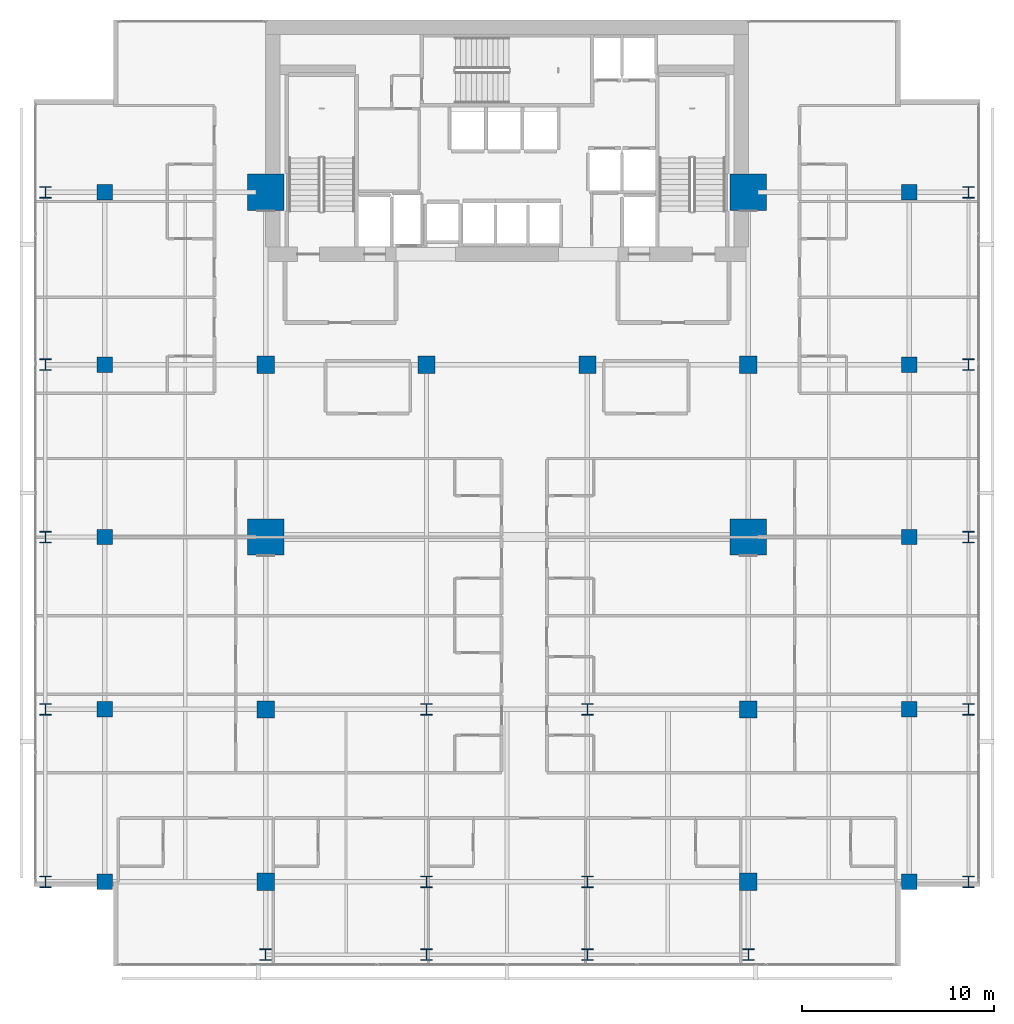
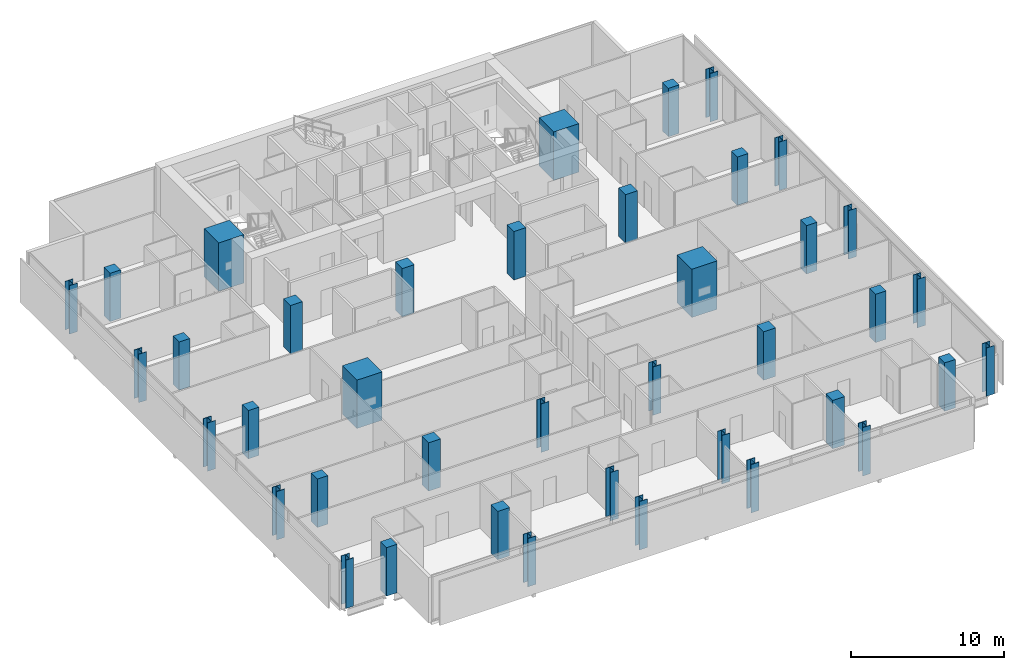
# One storey, part 1 of 34: 40 columns.
"""IFC4 building model written with IfcOpenShell, lengths in metres."""

from ifc_helpers import new_model, si_unit, direction, frame, origin, origin_2d, place, context, subcontext, project, spatial, rectangle, i_section, extrude, material, material_profile, profile_set, type_object, element, save


model = new_model("IFC4")

# Units and contexts
model_context = context("Model", 3, precision=1e-05, world=origin(), true_north=direction((0.0, 1.0)))
body_context = subcontext(model_context, "Body", "Model", "MODEL_VIEW")
ifc_project = project(units=[si_unit("LENGTHUNIT", "METRE"), si_unit("AREAUNIT", "SQUARE_METRE"), si_unit("VOLUMEUNIT", "CUBIC_METRE"), si_unit("PLANEANGLEUNIT", "RADIAN"), si_unit("MASSUNIT", "GRAM", prefix="KILO")], contexts=[model_context])

# Site, building, storey
site_placement = place(None, origin())
site = spatial("IfcSite", under=ifc_project, at=site_placement, CompositionType="ELEMENT")
building_placement = place(site_placement, origin())
building = spatial("IfcBuilding", under=site, at=building_placement, Name="Maruvema Waterfront Hotel and Observation Tower", CompositionType="ELEMENT")
storey_placement = place(building_placement, frame((0.0, 0.0, 177.449951171875)))
storey = spatial("IfcBuildingStorey", under=building, at=storey_placement, Name="L43", CompositionType="ELEMENT", Elevation=177.449951171875)

# Columns
ifc_material_1 = material(Name="Concrete C80/95", Category="concrete")
ifc_material_profile_1 = material_profile(ifc_material_1, rectangle(XDim=1.89990234375, YDim=1.89990234375, at=origin_2d()), Name="MC1900x1900")
ifc_profile_set_1 = profile_set([ifc_material_profile_1], Name="Concrete C80/95")
column_type_1 = type_object("IfcColumnType", Name="Continuous Mega-Column MC1900x1900", PredefinedType="COLUMN", material=ifc_profile_set_1)
for number, where, z_axis, x_axis, name in (
    (1, (25.199951171875, 27.0, 0.0), (0.0, 0.0, 1.0), (1.0, 0.0, 0.0), "L43 Continuous Mega-Column MC-01"),
    (2, (50.39990234375, 27.0, 0.0), (0.0, 0.0, 1.0), (1.0, 0.0, 0.0), "L43 Continuous Mega-Column MC-02"),
    (3, (25.199951171875, 45.0, 0.0), (0.0, 0.0, 1.0), (1.0, 0.0, 0.0), "L43 Continuous Mega-Column MC-03"),
    (4, (50.39990234375, 45.0, 0.0), (0.0, 0.0, 1.0), (1.0, 0.0, 0.0), "L43 Continuous Mega-Column MC-04"),
):
    element("IfcColumn", number, at=place(storey_placement, frame(where, z_axis=z_axis, x_axis=x_axis)), inside=storey, type_object=column_type_1, Name=name, PredefinedType="COLUMN", context=body_context, shape_type="SweptSolid", body=[
        extrude(rectangle(XDim=1.89990234375, YDim=1.89990234375, at=origin_2d()), origin(), (0.0, 0.0, 1.0), 3.85009765625),
    ])
ifc_material_2 = material(Name="Concrete C60/75", Category="concrete")
ifc_material_profile_2 = material_profile(ifc_material_2, rectangle(XDim=0.800048828125, YDim=0.800048828125, at=origin_2d()), Name="RC800x800")
ifc_profile_set_2 = profile_set([ifc_material_profile_2], Name="Concrete C60/75")
column_type_2 = type_object("IfcColumnType", Name="Reinforced Concrete Column RC800x800", PredefinedType="COLUMN", material=ifc_profile_set_2)
for number, where, z_axis, x_axis, name in (
    (5, (16.800048828125, 9.0, 0.0), (0.0, 0.0, 1.0), (1.0, 0.0, 0.0), "L43 Column C-3Y9"),
    (6, (58.800048828125, 9.0, 0.0), (0.0, 0.0, 1.0), (1.0, 0.0, 0.0), "L43 Column C-8Y9"),
    (7, (16.800048828125, 18.0, 0.0), (0.0, 0.0, 1.0), (1.0, 0.0, 0.0), "L43 Column C-3Y18"),
    (8, (58.800048828125, 18.0, 0.0), (0.0, 0.0, 1.0), (1.0, 0.0, 0.0), "L43 Column C-8Y18"),
    (9, (16.800048828125, 27.0, 0.0), (0.0, 0.0, 1.0), (1.0, 0.0, 0.0), "L43 Column C-3Y27"),
    (10, (58.800048828125, 27.0, 0.0), (0.0, 0.0, 1.0), (1.0, 0.0, 0.0), "L43 Column C-8Y27"),
    (11, (16.800048828125, 36.0, 0.0), (0.0, 0.0, 1.0), (1.0, 0.0, 0.0), "L43 Column C-3Y36"),
    (12, (58.800048828125, 36.0, 0.0), (0.0, 0.0, 1.0), (1.0, 0.0, 0.0), "L43 Column C-8Y36"),
    (13, (16.800048828125, 45.0, 0.0), (0.0, 0.0, 1.0), (1.0, 0.0, 0.0), "L43 Column C-3Y45"),
    (14, (58.800048828125, 45.0, 0.0), (0.0, 0.0, 1.0), (1.0, 0.0, 0.0), "L43 Column C-8Y45"),
):
    element("IfcColumn", number, at=place(storey_placement, frame(where, z_axis=z_axis, x_axis=x_axis)), inside=storey, type_object=column_type_2, Name=name, PredefinedType="COLUMN", context=body_context, shape_type="SweptSolid", body=[
        extrude(rectangle(XDim=0.800048828125, YDim=0.800048828125, at=origin_2d()), origin(), (0.0, 0.0, 1.0), 3.85009765625),
    ])
ifc_material_3 = material(Name="Concrete C60/75", Category="concrete")
ifc_material_profile_3 = material_profile(ifc_material_3, rectangle(XDim=0.89990234375, YDim=0.89990234375, at=origin_2d()), Name="RC900x900")
ifc_profile_set_3 = profile_set([ifc_material_profile_3], Name="Concrete C60/75")
column_type_3 = type_object("IfcColumnType", Name="Reinforced Concrete Column RC900x900", PredefinedType="COLUMN", material=ifc_profile_set_3)
for number, where, z_axis, x_axis, name in (
    (15, (25.199951171875, 36.0, 0.0), (0.0, 0.0, 1.0), (1.0, 0.0, 0.0), "L43 Column C-4E"),
    (16, (33.60009765625, 36.0, 0.0), (0.0, 0.0, 1.0), (1.0, 0.0, 0.0), "L43 Column C-5E"),
    (17, (42.0, 36.0, 0.0), (0.0, 0.0, 1.0), (1.0, 0.0, 0.0), "L43 Column C-6E"),
    (18, (50.39990234375, 36.0, 0.0), (0.0, 0.0, 1.0), (1.0, 0.0, 0.0), "L43 Column C-7E"),
    (19, (25.199951171875, 18.0, 0.0), (0.0, 0.0, 1.0), (1.0, 0.0, 0.0), "L43 Column C-4C"),
    (20, (50.39990234375, 18.0, 0.0), (0.0, 0.0, 1.0), (1.0, 0.0, 0.0), "L43 Column C-7C"),
    (21, (25.199951171875, 9.0, 0.0), (0.0, 0.0, 1.0), (1.0, 0.0, 0.0), "L43 Column C-4B"),
    (22, (50.39990234375, 9.0, 0.0), (0.0, 0.0, 1.0), (1.0, 0.0, 0.0), "L43 Column C-7B"),
):
    element("IfcColumn", number, at=place(storey_placement, frame(where, z_axis=z_axis, x_axis=x_axis)), inside=storey, type_object=column_type_3, Name=name, PredefinedType="COLUMN", context=body_context, shape_type="SweptSolid", body=[
        extrude(rectangle(XDim=0.89990234375, YDim=0.89990234375, at=origin_2d()), origin(), (0.0, 0.0, 1.0), 3.85009765625),
    ])
ifc_material_4 = material(Name="Steel ABNT NBR 7007 AR 415 (ASTM A572 Grade 50)", Category="steel")
ifc_material_profile_4 = material_profile(ifc_material_4, i_section(OverallWidth=0.60009765625, OverallDepth=0.60009765625, WebThickness=0.02490234375, FlangeThickness=0.0380859375, at=origin_2d()), Name="CVS600x317")
ifc_profile_set_4 = profile_set([ifc_material_profile_4], Name="Steel ABNT NBR 7007 AR 415 (ASTM A572 Grade 50)")
column_type_4 = type_object("IfcColumnType", Name="Structural Steel Column CVS600x317", PredefinedType="COLUMN", material=ifc_profile_set_4)
for number, where, z_axis, x_axis, name in (
    (23, (33.60009765625, 9.0, 0.0), (0.0, 0.0, 1.0), (1.0, 0.0, 0.0), "L43 Column C-5B"),
    (24, (42.0, 9.0, 0.0), (0.0, 0.0, 1.0), (1.0, 0.0, 0.0), "L43 Column C-6B"),
    (25, (33.60009765625, 18.0, 0.0), (0.0, 0.0, 1.0), (1.0, 0.0, 0.0), "L43 Column C-5C"),
    (26, (42.0, 18.0, 0.0), (0.0, 0.0, 1.0), (1.0, 0.0, 0.0), "L43 Column C-6C"),
    (27, (13.699951171875, 9.0, 0.0), (0.0, 0.0, 1.0), (1.0, 0.0, 0.0), "L43 Column C-Z2W9"),
    (28, (61.89990234375, 9.0, 0.0), (0.0, 0.0, 1.0), (1.0, 0.0, 0.0), "L43 Column C-Z2E9"),
    (29, (13.699951171875, 18.0, 0.0), (0.0, 0.0, 1.0), (1.0, 0.0, 0.0), "L43 Column C-Z2W18"),
    (30, (61.89990234375, 18.0, 0.0), (0.0, 0.0, 1.0), (1.0, 0.0, 0.0), "L43 Column C-Z2E18"),
    (31, (13.699951171875, 27.0, 0.0), (0.0, 0.0, 1.0), (1.0, 0.0, 0.0), "L43 Column C-Z2W27"),
    (32, (61.89990234375, 27.0, 0.0), (0.0, 0.0, 1.0), (1.0, 0.0, 0.0), "L43 Column C-Z2E27"),
    (33, (13.699951171875, 36.0, 0.0), (0.0, 0.0, 1.0), (1.0, 0.0, 0.0), "L43 Column C-Z2W36"),
    (34, (61.89990234375, 36.0, 0.0), (0.0, 0.0, 1.0), (1.0, 0.0, 0.0), "L43 Column C-Z2E36"),
    (35, (13.699951171875, 45.0, 0.0), (0.0, 0.0, 1.0), (1.0, 0.0, 0.0), "L43 Column C-Z2W45"),
    (36, (61.89990234375, 45.0, 0.0), (0.0, 0.0, 1.0), (1.0, 0.0, 0.0), "L43 Column C-Z2E45"),
    (37, (25.199951171875, 5.199951171875, 0.0), (0.0, 0.0, 1.0), (1.0, 0.0, 0.0), "L43 Column C-Z2S4"),
    (38, (33.60009765625, 5.199951171875, 0.0), (0.0, 0.0, 1.0), (1.0, 0.0, 0.0), "L43 Column C-Z2S5"),
    (39, (42.0, 5.199951171875, 0.0), (0.0, 0.0, 1.0), (1.0, 0.0, 0.0), "L43 Column C-Z2S6"),
    (40, (50.39990234375, 5.199951171875, 0.0), (0.0, 0.0, 1.0), (1.0, 0.0, 0.0), "L43 Column C-Z2S7"),
):
    element("IfcColumn", number, at=place(storey_placement, frame(where, z_axis=z_axis, x_axis=x_axis)), inside=storey, type_object=column_type_4, Name=name, PredefinedType="COLUMN", context=body_context, shape_type="SweptSolid", body=[
        extrude(i_section(OverallWidth=0.60009765625, OverallDepth=0.60009765625, WebThickness=0.02490234375, FlangeThickness=0.0380859375, at=origin_2d()), origin(), (0.0, 0.0, 1.0), 3.85009765625),
    ])

save(model, "model.ifc")
